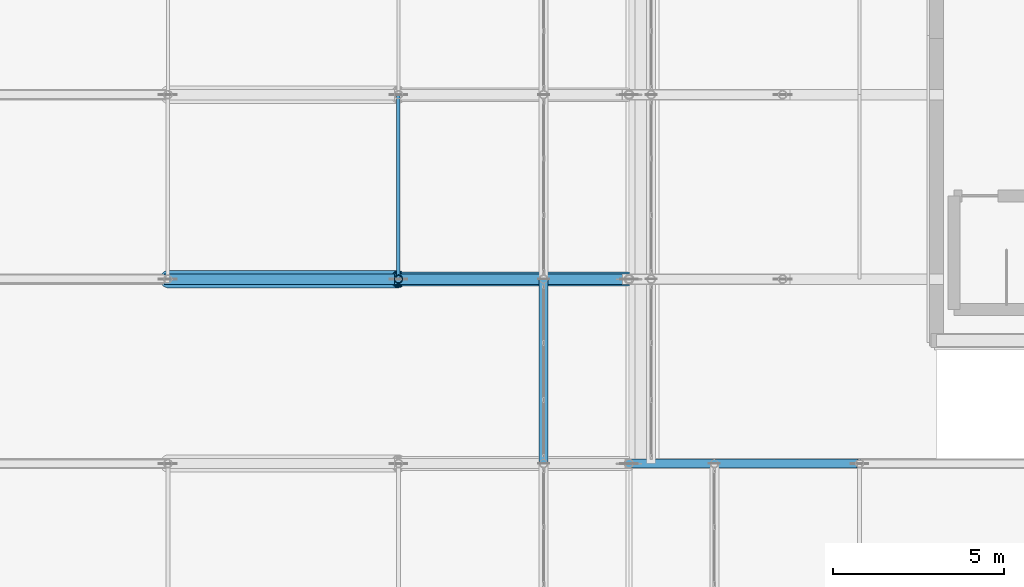
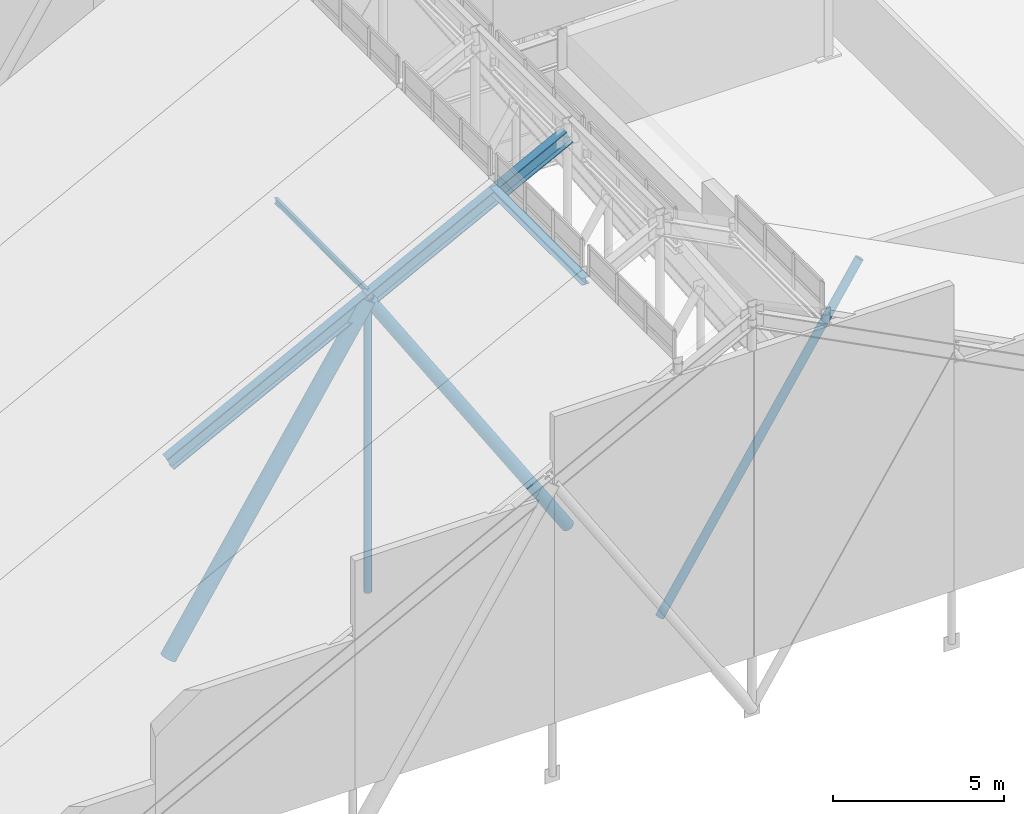
# One storey, part 12 of 84: 7 members, 1 beam.
"""IFC4 building model written with IfcOpenShell, lengths in metres."""

import ifcopenshell
import ifcopenshell.guid

model = None  # the IFC model being written
_history = None  # IfcOwnerHistory: only IFC2X3 demands one
_inside = {}  # id of a spatial element -> (the spatial element, [elements in it])
_under = {}  # id of a project, library or spatial element -> (it, [spatial elements below it])
_declared = {}  # id of a project -> (the project, [libraries it declares])
_typed = {}  # id of a type object -> (the type object, [elements of that type])
_made_of = {}  # id of a material, layer set ... -> (it, [elements and type objects made of it])


def new_model(schema):
    """Start an empty IFC model of exactly this schema.

    Asked for "IFC4X3", IfcOpenShell would pick the latest addendum, in which some entities
    have other attributes; the version numbers below select the first issue.
    IFC2X3 requires an IfcOwnerHistory on every rooted entity: one is made here for all.
    """
    global model, _history
    if schema == "IFC4X3":
        model = ifcopenshell.file(schema_version=(4, 3, 0, 0))
    else:
        model = ifcopenshell.file(schema=schema)
    _inside.clear()
    _under.clear()
    _declared.clear()
    _typed.clear()
    _made_of.clear()
    _history = None
    if model.schema == "IFC2X3":
        org = make("IfcOrganization", Name="unknown")
        user = make(
            "IfcPersonAndOrganization",
            ThePerson=make("IfcPerson", FamilyName="unknown"),
            TheOrganization=org,
        )
        app = make(
            "IfcApplication",
            ApplicationDeveloper=org,
            Version="unknown",
            ApplicationFullName="unknown",
            ApplicationIdentifier="unknown",
        )
        _history = make(
            "IfcOwnerHistory",
            OwningUser=user,
            OwningApplication=app,
            ChangeAction="ADDED",
            CreationDate=0,
        )
    return model


def make(cls, **values):
    """One entity of the class cls with the attributes given. An attribute that is None is left unset."""
    return model.create_entity(
        cls, **{name: value for name, value in values.items() if value is not None}
    )


def rooted(cls, **values):
    """An entity with a GlobalId (a new one), such as an element, a storey or a relation."""
    return make(cls, GlobalId=ifcopenshell.guid.new(), OwnerHistory=_history, **values)


def si_unit(unit_type, name, prefix=None):
    """IfcSIUnit, for example si_unit("LENGTHUNIT", "METRE", prefix="MILLI")."""
    return make("IfcSIUnit", UnitType=unit_type, Prefix=prefix, Name=name)


def assignment(units):
    """IfcUnitAssignment: the units of a project."""
    return None if units is None else make("IfcUnitAssignment", Units=units)


def point(xyz):
    """IfcCartesianPoint."""
    return None if xyz is None else make("IfcCartesianPoint", Coordinates=xyz)


def direction(xyz):
    """IfcDirection."""
    return None if xyz is None else make("IfcDirection", DirectionRatios=xyz)


def frame(location, z_axis=None, x_axis=None):
    """IfcAxis2Placement3D, a coordinate frame: its origin and axes. An axis left out is left unset."""
    return make(
        "IfcAxis2Placement3D",
        Location=point(location),
        Axis=direction(z_axis),
        RefDirection=direction(x_axis),
    )


def frame_2d(location, x_axis=None):
    """IfcAxis2Placement2D, a coordinate frame in the plane: its origin and x axis."""
    return make(
        "IfcAxis2Placement2D", Location=point(location), RefDirection=direction(x_axis)
    )


def origin():
    """The frame at (0, 0, 0) with its axes left unset."""
    return frame((0.0, 0.0, 0.0))


def origin_2d():
    """The frame at (0, 0) in the plane with its x axis left unset."""
    return frame_2d((0.0, 0.0))


def place(relative_to, where):
    """IfcLocalPlacement: puts the frame where relative to a parent placement (None: the world)."""
    return make(
        "IfcLocalPlacement", PlacementRelTo=relative_to, RelativePlacement=where
    )


def context(
    kind, dimensions, precision=None, world=None, true_north=None, identifier=None
):
    """IfcGeometricRepresentationContext, for example the 3D "Model" context."""
    return make(
        "IfcGeometricRepresentationContext",
        ContextIdentifier=identifier,
        ContextType=kind,
        CoordinateSpaceDimension=dimensions,
        Precision=precision,
        WorldCoordinateSystem=world,
        TrueNorth=true_north,
    )


def subcontext(parent, identifier, kind, view, scale=None):
    """IfcGeometricRepresentationSubContext, for example "Body" below "Model"."""
    return make(
        "IfcGeometricRepresentationSubContext",
        ContextIdentifier=identifier,
        ContextType=kind,
        ParentContext=parent,
        TargetScale=scale,
        TargetView=view,
    )


def project(units=None, contexts=None):
    """IfcProject with its units and contexts."""
    return rooted(
        "IfcProject",
        Name="project",
        RepresentationContexts=contexts,
        UnitsInContext=assignment(units),
    )


def spatial(cls, under=None, at=None, **own):
    """A site, building, storey or space (cls), placed at a placement, below another one or the project."""
    s = rooted(cls, ObjectPlacement=at, **own)
    if under is not None:
        _under.setdefault(under.id(), (under, []))[1].append(s)
    return s


def profile(cls, at=None, kind="AREA", **sizes):
    """A parametric profile (cls). Its sizes go by their IFC names, for example OverallWidth=200.0."""
    return make(cls, ProfileType=kind, Position=at, **sizes)


def hollow_circle(**sizes):
    """IfcCircleHollowProfileDef."""
    return profile("IfcCircleHollowProfileDef", **sizes)


def i_section(**sizes):
    """IfcIShapeProfileDef."""
    return profile("IfcIShapeProfileDef", **sizes)


def extrude(swept, where, along, depth):
    """IfcExtrudedAreaSolid: the profile swept, set in the frame where, extruded along a direction by depth."""
    return make(
        "IfcExtrudedAreaSolid",
        SweptArea=swept,
        Position=where,
        ExtrudedDirection=direction(along),
        Depth=depth,
    )


def shape(context_of_items, identifier, shape_type, items):
    """IfcShapeRepresentation: the items that make up one representation, for example the "Body"."""
    return make(
        "IfcShapeRepresentation",
        ContextOfItems=context_of_items,
        RepresentationIdentifier=identifier,
        RepresentationType=shape_type,
        Items=items,
    )


def material(Name=None, Category=None):
    """IfcMaterial."""
    return make("IfcMaterial", Name=Name, Category=Category)


def material_profile(
    of_material, cross_section, Name=None, Category=None, Priority=None
):
    """IfcMaterialProfile: a cross section and its material."""
    return make(
        "IfcMaterialProfile",
        Name=Name,
        Material=of_material,
        Profile=cross_section,
        Priority=Priority,
        Category=Category,
    )


def profile_set(profiles, Name=None, composite=None):
    """IfcMaterialProfileSet."""
    return make(
        "IfcMaterialProfileSet",
        Name=Name,
        MaterialProfiles=profiles,
        CompositeProfile=composite,
    )


def made_of(thing, what):
    """Note that an element or type object is made of a material, layer set ...; save() writes the relation."""
    if what is not None:
        _made_of.setdefault(what.id(), (what, []))[1].append(thing)
    return thing


def type_object(cls, material=None, **own):
    """A type object (cls), such as IfcWallType, which elements share."""
    return made_of(rooted(cls, **own), material)


def element(
    cls,
    number,
    at=None,
    inside=None,
    cuts=None,
    type_object=None,
    material=None,
    context=None,
    identifier="Body",
    shape_type=None,
    held_by="IfcProductDefinitionShape",
    body=None,
    shapes=None,
    **own,
):
    """One element of the class cls, such as IfcWall. Its Tag is "e" and its number.

    at: its placement. inside: the storey or other place that contains it. cuts: it is an
    opening in that element (IfcRelVoidsElement). A single representation is given by context,
    identifier, shape_type and body (its items); several are given by shapes. held_by: the class
    of the entity that holds the representations. save() writes the other relations.
    """
    e = rooted(cls, Tag="e%d" % number, ObjectPlacement=at, **own)
    if body is not None:
        shapes = [shape(context, identifier, shape_type, body)]
    if shapes is not None:
        e.Representation = make(held_by, Representations=shapes)
    if inside is not None:
        _inside.setdefault(inside.id(), (inside, []))[1].append(e)
    if cuts is not None:
        rooted(
            "IfcRelVoidsElement", RelatingBuildingElement=cuts, RelatedOpeningElement=e
        )
    if type_object is not None:
        _typed.setdefault(type_object.id(), (type_object, []))[1].append(e)
    return made_of(e, material)


def aggregate(whole, parts):
    """IfcRelAggregates: a whole, such as a stair, and the parts it consists of."""
    return rooted("IfcRelAggregates", RelatingObject=whole, RelatedObjects=parts)


def save(model, path):
    """Write the relations noted so far, then the file.

    IfcRelAggregates (storeys below a building ...), IfcRelContainedInSpatialStructure (elements
    in a storey), IfcRelDefinesByType, IfcRelAssociatesMaterial and IfcRelDeclares: one each for
    every whole, place, type object, material and project.
    """
    for whole, parts in _under.values():
        aggregate(whole, parts)
    for where, things in _inside.values():
        rooted(
            "IfcRelContainedInSpatialStructure",
            RelatedElements=things,
            RelatingStructure=where,
        )
    for kind, things in _typed.values():
        rooted("IfcRelDefinesByType", RelatedObjects=things, RelatingType=kind)
    for what, things in _made_of.values():
        rooted("IfcRelAssociatesMaterial", RelatedObjects=things, RelatingMaterial=what)
    for by, libraries in _declared.values():
        rooted("IfcRelDeclares", RelatingContext=by, RelatedDefinitions=libraries)
    model.write(path)


model = new_model("IFC4")

# Units and contexts
model_context = context("Model", 3, precision=1e-05, world=origin(), true_north=direction((0.0, 1.0)))
body_context = subcontext(model_context, "Body", "Model", "MODEL_VIEW")
ifc_project = project(units=[si_unit("LENGTHUNIT", "METRE"), si_unit("AREAUNIT", "SQUARE_METRE"), si_unit("VOLUMEUNIT", "CUBIC_METRE"), si_unit("PLANEANGLEUNIT", "RADIAN"), si_unit("MASSUNIT", "GRAM", prefix="KILO")], contexts=[model_context])

# Site, building, storey
site_placement = place(None, origin())
site = spatial("IfcSite", under=ifc_project, at=site_placement, CompositionType="ELEMENT")
building_placement = place(site_placement, origin())
building = spatial("IfcBuilding", under=site, at=building_placement, Name="Sundgate Opera House", CompositionType="ELEMENT")
storey_placement = place(building_placement, frame((0.0, 0.0, 30.60009765625)))
storey = spatial("IfcBuildingStorey", under=building, at=storey_placement, Name="L06", CompositionType="ELEMENT", Elevation=30.60009765625)

# Beam
ifc_material_1 = material(Name="Steel S355J2", Category="steel")
ifc_material_profile_1 = material_profile(ifc_material_1, i_section(OverallWidth=0.260009765625, OverallDepth=0.25, WebThickness=0.007568359375, FlangeThickness=0.012451171875, at=origin_2d()), Name="HEA 260")
ifc_profile_set_1 = profile_set([ifc_material_profile_1], Name="Steel S355J2")
beam_type = type_object("IfcBeamType", Name="BM-LN-HEA260", PredefinedType="LINTEL", material=ifc_profile_set_1)
beam_placement = place(storey_placement, frame((51.5, 38.39990234375, 12.119873046875), z_axis=(0.0, 1.0, 0.0), x_axis=(-1.0, 0.0, 0.0)))
element("IfcBeam", 1, at=beam_placement, inside=storey, type_object=beam_type, Name="L06 Crown Clerestory Curb Beam BS024", PredefinedType="LINTEL", context=body_context, shape_type="SweptSolid", body=[
    extrude(i_section(OverallWidth=0.260009765625, OverallDepth=0.25, WebThickness=0.007568359375, FlangeThickness=0.012451171875, at=origin_2d()), origin(), (0.0, 0.0, 1.0), 5.400146484375),
])

# Members
ifc_material_2 = material(Name="Steel S355J2", Category="steel")
ifc_material_profile_2 = material_profile(ifc_material_2, i_section(OverallWidth=0.300048828125, OverallDepth=0.5, WebThickness=0.014404296875, FlangeThickness=0.028076171875, at=origin_2d()), Name="HEB 500")
ifc_profile_set_2 = profile_set([ifc_material_profile_2], Name="Steel S355J2")
member_type_1 = type_object("IfcMemberType", Name="MB-CHORD-HEB500", PredefinedType="CHORD", material=ifc_profile_set_2)
for number, where, z_axis, x_axis, name in (
    (2, (40.5, 43.800048828125, 6.219970703125), (0.88829222652, 0.0, 0.459278695678), (0.0, 1.0, 0.0), "L06 Auditorium Truss Top Chord M0078"),
    (3, (47.25, 43.800048828125, 9.7099609375), (0.88829222652, 0.0, 0.459278695678), (0.0, 1.0, 0.0), "L06 Auditorium Truss Top Chord M0080"),
):
    element("IfcMember", number, at=place(storey_placement, frame(where, z_axis=z_axis, x_axis=x_axis)), inside=storey, type_object=member_type_1, Name=name, PredefinedType="CHORD", context=body_context, shape_type="SweptSolid", body=[
        extrude(i_section(OverallWidth=0.300048828125, OverallDepth=0.5, WebThickness=0.014404296875, FlangeThickness=0.028076171875, at=origin_2d()), origin(), (0.0, 0.0, 1.0), 7.598876953125),
    ])
ifc_material_3 = material(Name="Steel S355J2", Category="steel")
ifc_material_profile_3 = material_profile(ifc_material_3, i_section(OverallWidth=0.10009765625, OverallDepth=0.199951171875, WebThickness=0.005615234375, FlangeThickness=0.008544921875, at=origin_2d()), Name="IPE 200")
ifc_profile_set_3 = profile_set([ifc_material_profile_3], Name="Steel S355J2")
member_type_2 = type_object("IfcMemberType", Name="MB-PUR-IPE200", PredefinedType="PURLIN", material=ifc_profile_set_3)
member_1_placement = place(storey_placement, frame((47.25, 43.800048828125, 9.954833984375), z_axis=(0.0, 1.0, 0.0), x_axis=(-1.0, 0.0, 0.0)))
element("IfcMember", 4, at=member_1_placement, inside=storey, type_object=member_type_2, Name="V1 Roof Purlin M0240", PredefinedType="PURLIN", context=body_context, shape_type="SweptSolid", body=[
    extrude(i_section(OverallWidth=0.10009765625, OverallDepth=0.199951171875, WebThickness=0.005615234375, FlangeThickness=0.008544921875, at=origin_2d()), origin(), (0.0, 0.0, 1.0), 5.39990234375),
])
ifc_material_4 = material(Name="Steel S355J2", Category="steel")
ifc_material_profile_4 = material_profile(ifc_material_4, hollow_circle(Radius=0.122314453125, WallThickness=0.012451171875, at=origin_2d()), Name="CHS 244.5x12.5")
ifc_profile_set_4 = profile_set([ifc_material_profile_4], Name="Steel S355J2")
member_type_3 = type_object("IfcMemberType", Name="MB-STRUT-CHS244", PredefinedType="STRUT", material=ifc_profile_set_4)
member_2_placement = place(storey_placement, frame((47.25, 43.800048828125, -0.760009765625), z_axis=(0.0, 0.0, 1.0), x_axis=(1.0, 0.0, 0.0)))
element("IfcMember", 5, at=member_2_placement, inside=storey, type_object=member_type_3, Name="L06 Auditorium Truss Vertical Post M0087", PredefinedType="STRUT", context=body_context, shape_type="SweptSolid", body=[
    extrude(hollow_circle(Radius=0.122314453125, WallThickness=0.012451171875, at=origin_2d()), origin(), (0.0, 0.0, 1.0), 10.469970703125),
])
ifc_material_5 = material(Name="Steel S355J2", Category="steel")
ifc_material_profile_5 = material_profile(ifc_material_5, hollow_circle(Radius=0.136474609375, WallThickness=0.01611328125, at=origin_2d()), Name="CHS 273.0x16.0")
ifc_profile_set_5 = profile_set([ifc_material_profile_5], Name="Steel S355J2")
member_type_4 = type_object("IfcMemberType", Name="MB-STRUT-CHS273", PredefinedType="STRUT", material=ifc_profile_set_5)
member_3_placement = place(storey_placement, frame((54.0, 38.39990234375, -0.760009765625), z_axis=(0.541853645841, 0.0, 0.840472858865), x_axis=(0.0, 1.0, 0.0)))
element("IfcMember", 6, at=member_3_placement, inside=storey, type_object=member_type_4, Name="L06 Auditorium Warren Web Strut M0062", PredefinedType="STRUT", context=body_context, shape_type="SweptSolid", body=[
    extrude(hollow_circle(Radius=0.136474609375, WallThickness=0.01611328125, at=origin_2d()), origin(), (0.0, 0.0, 1.0), 12.457275390625),
])
ifc_material_6 = material(Name="Steel S355ML", Category="steel")
ifc_material_profile_6 = material_profile(ifc_material_6, hollow_circle(Radius=0.203125, WallThickness=0.02001953125, at=origin_2d()), Name="CHS 406.4x20.0")
ifc_profile_set_6 = profile_set([ifc_material_profile_6], Name="Steel S355ML")
member_type_5 = type_object("IfcMemberType", Name="MB-STRUT-CHS406", PredefinedType="STRUT", material=ifc_profile_set_6)
member_4_placement = place(storey_placement, frame((54.0, 43.800048828125, -0.760009765625), z_axis=(-0.541853645841, 0.0, 0.840472858865), x_axis=(0.0, -1.0, 0.0)))
element("IfcMember", 7, at=member_4_placement, inside=storey, type_object=member_type_5, Name="L06 Auditorium Warren Web Diagonal M0081", PredefinedType="STRUT", context=body_context, shape_type="SweptSolid", body=[
    extrude(hollow_circle(Radius=0.203125, WallThickness=0.02001953125, at=origin_2d()), origin(), (0.0, 0.0, 1.0), 12.457275390625),
])
ifc_material_7 = material(Name="Steel S355ML", Category="steel")
ifc_material_profile_7 = material_profile(ifc_material_7, hollow_circle(Radius=0.25390625, WallThickness=0.02490234375, at=origin_2d()), Name="CHS 508x25.0")
ifc_profile_set_7 = profile_set([ifc_material_profile_7], Name="Steel S355ML")
member_type_6 = type_object("IfcMemberType", Name="MB-STRUT-CHS508", PredefinedType="STRUT", material=ifc_profile_set_7)
member_5_placement = place(storey_placement, frame((40.5, 43.800048828125, -0.760009765625), z_axis=(0.541853645841, 0.0, 0.840472858865), x_axis=(0.0, 1.0, 0.0)))
element("IfcMember", 8, at=member_5_placement, inside=storey, type_object=member_type_6, Name="L06 Auditorium Warren Web Strut M0079", PredefinedType="STRUT", context=body_context, shape_type="SweptSolid", body=[
    extrude(hollow_circle(Radius=0.25390625, WallThickness=0.02490234375, at=origin_2d()), origin(), (0.0, 0.0, 1.0), 12.457275390625),
])

save(model, "model.ifc")
